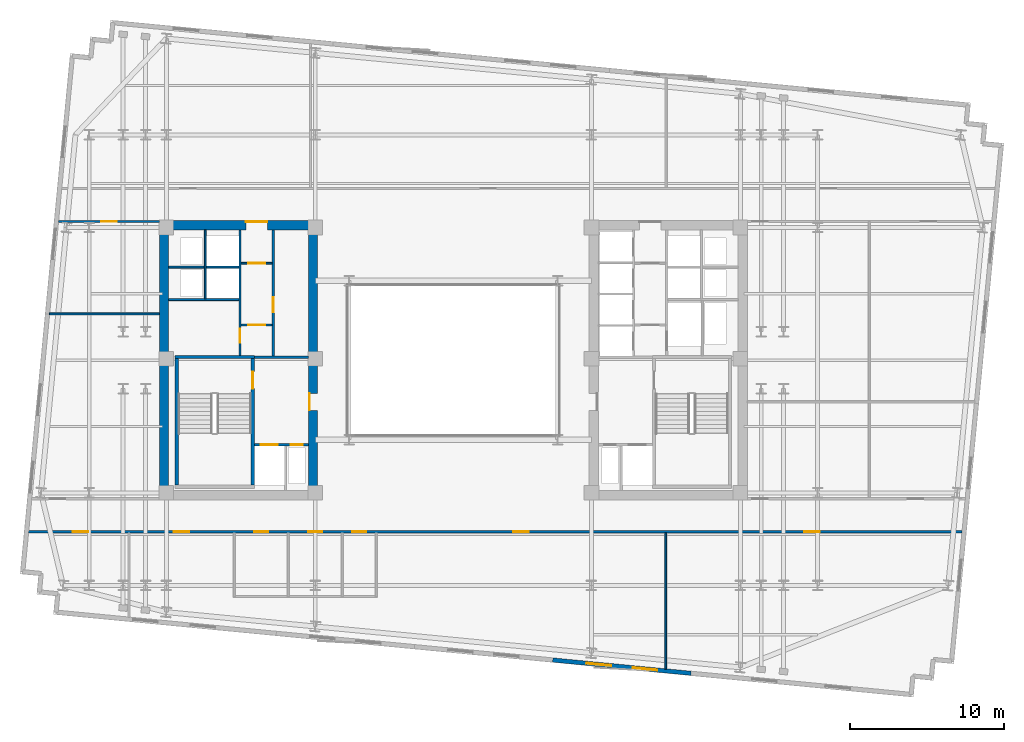
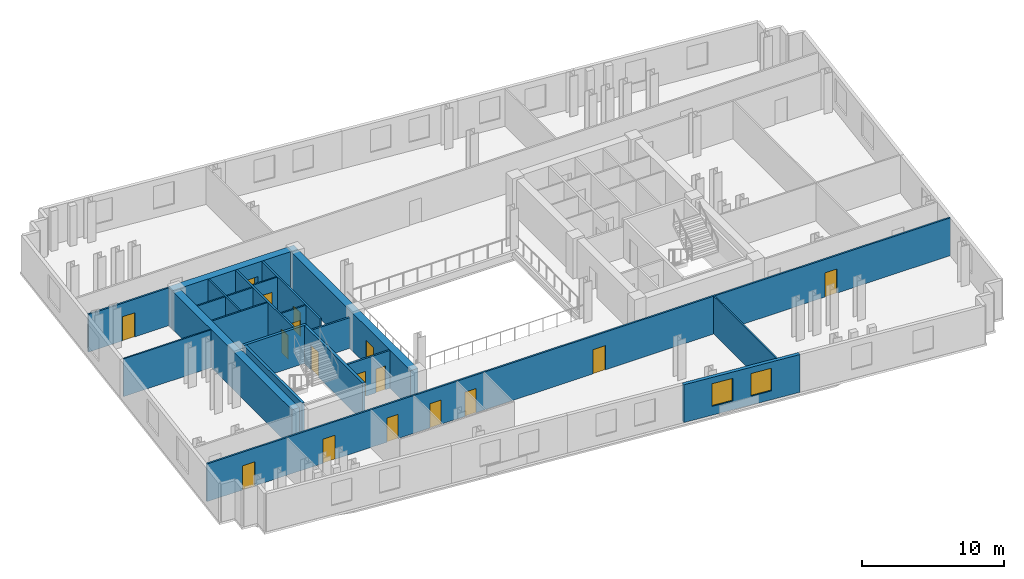
# One storey, part 4 of 9: 21 walls, 17 doors, 2 windows, 19 openings.
"""IFC4 building model written with IfcOpenShell, lengths in metres."""

from ifc_helpers import new_model, si_unit, direction, frame, frame_2d, origin, place, context, subcontext, project, spatial, rectangle, extrude, material, layer, layer_set, type_object, element, fill, save


model = new_model("IFC4")

# Units and contexts
model_context = context("Model", 3, precision=1e-05, world=origin(), true_north=direction((0.0, 1.0)))
body_context = subcontext(model_context, "Body", "Model", "MODEL_VIEW")
ifc_project = project(units=[si_unit("LENGTHUNIT", "METRE"), si_unit("AREAUNIT", "SQUARE_METRE"), si_unit("VOLUMEUNIT", "CUBIC_METRE"), si_unit("PLANEANGLEUNIT", "RADIAN"), si_unit("MASSUNIT", "GRAM", prefix="KILO")], contexts=[model_context])

# Site, building, storey
site_placement = place(None, origin())
site = spatial("IfcSite", under=ifc_project, at=site_placement, CompositionType="ELEMENT")
building_placement = place(site_placement, origin())
building = spatial("IfcBuilding", under=site, at=building_placement, Name="Velakula Bourse", CompositionType="ELEMENT")
storey_placement = place(building_placement, frame((0.0, 0.0, 163.85009765625)))
storey = spatial("IfcBuildingStorey", under=building, at=storey_placement, Name="L44", CompositionType="ELEMENT", Elevation=163.85009765625)

# Wall, opening, door
ifc_material_1 = material(Name="Concrete M50 (fck 50 MPa)", Category="concrete")
ifc_layer_1 = layer(ifc_material_1, 0.2099609375, Name="Concrete M50 (fck 50 MPa)", Category="concrete")
ifc_layer_set_1 = layer_set([ifc_layer_1], Name="Concrete M50 (fck 50 MPa)")
wall_type_1 = type_object("IfcWallType", Name="WL-CORE-210", PredefinedType="SHEAR", material=ifc_layer_set_1)
wall_1_placement = place(storey_placement, frame((-12.9951171875, -8.10009765625, 0.0), z_axis=(0.0, 0.0, 1.0), x_axis=(0.0, 1.0, 0.0)))
wall_1 = element("IfcWall", 1, at=wall_1_placement, inside=storey, type_object=wall_type_1, Name="L44 Core W Stairwell Shear Wall IN", PredefinedType="SHEAR", context=body_context, shape_type="SweptSolid", body=[
    extrude(rectangle(XDim=8.2001953125, YDim=0.2099609375, at=frame_2d((4.10009765625, 0.0))), origin(), (0.0, 0.0, 1.0), 3.27001953125),
])
opening_1_placement = place(wall_1_placement, frame((6.25, 0.0, 0.0)))
opening_1 = element("IfcOpeningElement", 2, at=opening_1_placement, cuts=wall_1, Name="Opening D-STW1", PredefinedType="OPENING", context=body_context, shape_type="SweptSolid", body=[
    extrude(rectangle(XDim=1.10009765625, YDim=2.14990234375, at=frame_2d((0.550048828125, 1.074951171875))), frame((0.0, 0.114990234375, 0.0), z_axis=(0.0, -1.0, 0.0), x_axis=(1.0, 0.0, 0.0)), (0.0, 0.0, 1.0), 0.22998046875),
])
ifc_material_2 = material(Name="Galvanised painted hollow steel fire door", Category="steel")
door_type_1 = type_object("IfcDoorType", Name="DR-FD120-1100x2150", OperationType="NOTDEFINED", PredefinedType="DOOR", material=ifc_material_2)
door_1_placement = place(opening_1_placement, origin())
door_1 = element("IfcDoor", 3, at=door_1_placement, inside=storey, type_object=door_type_1, Name="L44 Stair ST-W1 Fire Door", OperationType="SINGLE_SWING_LEFT", OverallHeight=2.14990234375, OverallWidth=1.10009765625, PredefinedType="DOOR", context=body_context, shape_type="SweptSolid", body=[
    extrude(rectangle(XDim=1.10009765625, YDim=2.14990234375, at=frame_2d((0.550048828125, 1.074951171875))), frame((0.0, 0.02490234375, 0.0), z_axis=(0.0, -1.0, 0.0), x_axis=(1.0, 0.0, 0.0)), (0.0, 0.0, 1.0), 0.050048828125),
])
fill(opening_1, door_1)

# Walls
wall_2_placement = place(storey_placement, frame((-17.925048828125, -8.10009765625, 0.0), z_axis=(0.0, 0.0, 1.0), x_axis=(0.0, 1.0, 0.0)))
element("IfcWall", 4, at=wall_2_placement, inside=storey, type_object=wall_type_1, Name="L44 Core W Stairwell Shear Wall OUT", PredefinedType="SHEAR", context=body_context, shape_type="SweptSolid", body=[
    extrude(rectangle(XDim=8.2001953125, YDim=0.2099609375, at=frame_2d((4.10009765625, 0.0))), origin(), (0.0, 0.0, 1.0), 3.27001953125),
])
wall_3_placement = place(storey_placement, frame((-12.889892578125, 0.205078125, 0.0), z_axis=(0.0, 0.0, 1.0), x_axis=(-1.0, 0.0, 0.0)))
element("IfcWall", 5, at=wall_3_placement, inside=storey, type_object=wall_type_1, Name="L44 Core W Stairwell Shear Wall N", PredefinedType="SHEAR", context=body_context, shape_type="SweptSolid", body=[
    extrude(rectangle(XDim=5.14013671875, YDim=0.2099609375, at=frame_2d((2.570068359375, 0.0))), origin(), (0.0, 0.0, 1.0), 3.27001953125),
])

# Wall, opening, door
ifc_material_3 = material(Name="Concrete M70 (fck 70 MPa)", Category="concrete")
ifc_layer_2 = layer(ifc_material_3, 0.60009765625, Name="Concrete M70 (fck 70 MPa)", Category="concrete")
ifc_layer_set_2 = layer_set([ifc_layer_2], Name="Concrete M70 (fck 70 MPa)")
wall_type_2 = type_object("IfcWallType", Name="WL-CORE-600", PredefinedType="SHEAR", material=ifc_layer_set_2)
wall_4_placement = place(storey_placement, frame((-19.050048828125, 8.75, 0.0), z_axis=(0.0, 0.0, 1.0), x_axis=(1.0, 0.0, 0.0)))
wall_4 = element("IfcWall", 6, at=wall_4_placement, inside=storey, type_object=wall_type_2, Name="L44 Core W Shear Wall N", PredefinedType="SHEAR", context=body_context, shape_type="SweptSolid", body=[
    extrude(rectangle(XDim=10.25, YDim=0.60009765625, at=frame_2d((5.125, 0.0))), origin(), (0.0, 0.0, 1.0), 3.27001953125),
])
opening_2_placement = place(wall_4_placement, frame((5.60009765625, 0.0, 0.0)))
opening_2 = element("IfcOpeningElement", 7, at=opening_2_placement, cuts=wall_4, Name="Opening D-LLW", PredefinedType="OPENING", context=body_context, shape_type="SweptSolid", body=[
    extrude(rectangle(XDim=1.39990234375, YDim=2.050048828125, at=frame_2d((0.699951171875, 1.02490234375))), frame((0.0, 0.31005859375, 0.0), z_axis=(0.0, -1.0, 0.0), x_axis=(1.0, 0.0, 0.0)), (0.0, 0.0, 1.0), 0.6201171875),
])
ifc_material_4 = material(Name="Fire-rated hardwood flush architectural door", Category="wood")
door_type_2 = type_object("IfcDoorType", Name="DR-DBL-FD60-1400", OperationType="DOUBLE_DOOR_SINGLE_SWING", PredefinedType="DOOR", material=ifc_material_4)
door_2_placement = place(opening_2_placement, origin())
door_2 = element("IfcDoor", 8, at=door_2_placement, inside=storey, type_object=door_type_2, Name="L44 Core W Lift Lobby Corridor Double Door", OperationType="DOUBLE_DOOR_SINGLE_SWING", OverallHeight=2.050048828125, OverallWidth=1.39990234375, PredefinedType="DOOR", context=body_context, shape_type="SweptSolid", body=[
    extrude(rectangle(XDim=1.39990234375, YDim=2.050048828125, at=frame_2d((0.699951171875, 1.02490234375))), frame((0.0, 0.2451171875, 0.0), z_axis=(0.0, -1.0, 0.0), x_axis=(1.0, 0.0, 0.0)), (0.0, 0.0, 1.0), 0.050048828125),
])
fill(opening_2, door_2)

# Wall
wall_5_placement = place(storey_placement, frame((-18.75, -8.449951171875, 0.0), z_axis=(0.0, 0.0, 1.0), x_axis=(0.0, 1.0, 0.0)))
element("IfcWall", 9, at=wall_5_placement, inside=storey, type_object=wall_type_2, Name="L44 Core W Shear Wall W", PredefinedType="SHEAR", context=body_context, shape_type="SweptSolid", body=[
    extrude(rectangle(XDim=16.89990234375, YDim=0.60009765625, at=frame_2d((8.449951171875, 0.0))), origin(), (0.0, 0.0, 1.0), 3.27001953125),
])

# Wall, opening, door
wall_6_placement = place(storey_placement, frame((-9.10009765625, -8.449951171875, 0.0), z_axis=(0.0, 0.0, 1.0), x_axis=(0.0, 1.0, 0.0)))
wall_6 = element("IfcWall", 10, at=wall_6_placement, inside=storey, type_object=wall_type_2, Name="L44 Core W Shear Wall E", PredefinedType="SHEAR", context=body_context, shape_type="SweptSolid", body=[
    extrude(rectangle(XDim=16.89990234375, YDim=0.60009765625, at=frame_2d((8.449951171875, 0.0))), origin(), (0.0, 0.0, 1.0), 3.27001953125),
])
opening_3_placement = place(wall_6_placement, frame((5.199951171875, 0.0, 0.0)))
opening_3 = element("IfcOpeningElement", 11, at=opening_3_placement, cuts=wall_6, Name="Opening D-FLW", PredefinedType="OPENING", context=body_context, shape_type="SweptSolid", body=[
    extrude(rectangle(XDim=1.10009765625, YDim=2.080078125, at=frame_2d((0.550048828125, 1.0400390625))), frame((0.0, 0.31005859375, 0.0), z_axis=(0.0, -1.0, 0.0), x_axis=(1.0, 0.0, 0.0)), (0.0, 0.0, 1.0), 0.6201171875),
])
door_type_3 = type_object("IfcDoorType", Name="DR-FD120-1100", OperationType="NOTDEFINED", PredefinedType="DOOR", material=ifc_material_2)
door_3_placement = place(opening_3_placement, origin())
door_3 = element("IfcDoor", 12, at=door_3_placement, inside=storey, type_object=door_type_3, Name="L44 Firefighting Lobby W Corridor Fire Door", OperationType="SINGLE_SWING_LEFT", OverallHeight=2.080078125, OverallWidth=1.10009765625, PredefinedType="DOOR", context=body_context, shape_type="SweptSolid", body=[
    extrude(rectangle(XDim=1.10009765625, YDim=2.080078125, at=frame_2d((0.550048828125, 1.0400390625))), frame((0.0, 0.2548828125, 0.0), z_axis=(0.0, -1.0, 0.0), x_axis=(1.0, 0.0, 0.0)), (0.0, 0.0, 1.0), 0.050048828125),
])
fill(opening_3, door_3)

# Wall, openings, windows
ifc_material_5 = material(Name="Red kilned clay facing brick masonry", Category="masonry")
ifc_layer_3 = layer(ifc_material_5, 0.280029296875, Name="Red kilned clay facing brick masonry", Category="masonry")
ifc_layer_set_3 = layer_set([ifc_layer_3], Name="Red kilned clay facing brick masonry")
wall_type_3 = type_object("IfcWallType", Name="WL-EXT-BRK-280", PredefinedType="STANDARD", material=ifc_layer_set_3)
wall_7_placement = place(storey_placement, frame((15.398681640625, -20.295654296875, 0.0), z_axis=(0.0, 0.0, 1.0), x_axis=(-0.995394455533, 0.09586385082, 0.0)))
wall_7 = element("IfcWall", 13, at=wall_7_placement, inside=storey, type_object=wall_type_3, Name="L44 S Brick Spandrel Wall B4", PredefinedType="STANDARD", context=body_context, shape_type="SweptSolid", body=[
    extrude(rectangle(XDim=9.000244140625, YDim=0.280029296875, at=frame_2d((4.5, 0.0))), origin(), (0.0, 0.0, 1.0), 3.25),
])
opening_4_placement = place(wall_7_placement, frame((2.199951171875, 0.0, 0.760009765625)))
opening_4 = element("IfcOpeningElement", 14, at=opening_4_placement, cuts=wall_7, Name="Opening W-02", PredefinedType="OPENING", context=body_context, shape_type="SweptSolid", body=[
    extrude(rectangle(XDim=1.60009765625, YDim=1.949951171875, at=frame_2d((0.800048828125, 0.97509765625))), frame((0.0, 0.14990234375, 0.0), z_axis=(0.0, -1.0, 0.0), x_axis=(1.0, 0.0, 0.0)), (0.0, 0.0, 1.0), 0.300048828125),
])
opening_5_placement = place(wall_7_placement, frame((5.199951171875, 0.0, 0.760009765625)))
opening_5 = element("IfcOpeningElement", 15, at=opening_5_placement, cuts=wall_7, Name="Opening W-02", PredefinedType="OPENING", context=body_context, shape_type="SweptSolid", body=[
    extrude(rectangle(XDim=1.60009765625, YDim=1.949951171875, at=frame_2d((0.800048828125, 0.97509765625))), frame((0.0, 0.14990234375, 0.0), z_axis=(0.0, -1.0, 0.0), x_axis=(1.0, 0.0, 0.0)), (0.0, 0.0, 1.0), 0.300048828125),
])
ifc_material_6 = material(Name="Double-glazed solar-control Low-E glass", Category="glass")
window_type = type_object("IfcWindowType", Name="WIN-TWR-1600x2100", PartitioningType="SINGLE_PANEL", PredefinedType="WINDOW", material=ifc_material_6)
window_1_placement = place(opening_4_placement, origin())
window_1 = element("IfcWindow", 16, at=window_1_placement, inside=storey, type_object=window_type, Name="L44 Deep-Set Recessed Window 1", OverallHeight=1.949951171875, OverallWidth=1.60009765625, PartitioningType="SINGLE_PANEL", PredefinedType="WINDOW", context=body_context, shape_type="SweptSolid", body=[
    extrude(rectangle(XDim=1.60009765625, YDim=1.949951171875, at=frame_2d((0.800048828125, 0.97509765625))), frame((0.0, 0.030029296875, 0.0), z_axis=(0.0, -1.0, 0.0), x_axis=(1.0, 0.0, 0.0)), (0.0, 0.0, 1.0), 0.06005859375),
])
fill(opening_4, window_1)
window_2_placement = place(opening_5_placement, origin())
window_2 = element("IfcWindow", 17, at=window_2_placement, inside=storey, type_object=window_type, Name="L44 Deep-Set Recessed Window 2", OverallHeight=1.949951171875, OverallWidth=1.60009765625, PartitioningType="SINGLE_PANEL", PredefinedType="WINDOW", context=body_context, shape_type="SweptSolid", body=[
    extrude(rectangle(XDim=1.60009765625, YDim=1.949951171875, at=frame_2d((0.800048828125, 0.97509765625))), frame((0.0, 0.030029296875, 0.0), z_axis=(0.0, -1.0, 0.0), x_axis=(1.0, 0.0, 0.0)), (0.0, 0.0, 1.0), 0.06005859375),
])
fill(opening_5, window_2)

# Wall, opening, door
ifc_material_7 = material(Name="Fire-rated double-layer gypsum drywall partition", Category="gypsum")
ifc_layer_4 = layer(ifc_material_7, 0.1201171875, Name="Fire-rated double-layer gypsum drywall partition", Category="gypsum")
ifc_layer_set_4 = layer_set([ifc_layer_4], Name="Fire-rated double-layer gypsum drywall partition")
wall_type_4 = type_object("IfcWallType", Name="WL-PART-120", PredefinedType="STANDARD", material=ifc_layer_set_4)
wall_8_placement = place(storey_placement, frame((-13.75, 2.280029296875, 0.0), z_axis=(0.0, 0.0, 1.0), x_axis=(1.0, 0.0, 0.0)))
wall_8 = element("IfcWall", 18, at=wall_8_placement, inside=storey, type_object=wall_type_4, Name="L44 Interior Partition WL-CRW-L44-LL-K3A", PredefinedType="STANDARD", context=body_context, shape_type="SweptSolid", body=[
    extrude(rectangle(XDim=2.0, YDim=0.1201171875, at=frame_2d((1.0, 0.0))), origin(), (0.0, 0.0, 1.0), 3.25),
])
opening_6_placement = place(wall_8_placement, frame((0.449951171875, 0.0, 0.0)))
opening_6 = element("IfcOpeningElement", 19, at=opening_6_placement, cuts=wall_8, Name="Opening D-LK3", PredefinedType="OPENING", context=body_context, shape_type="SweptSolid", body=[
    extrude(rectangle(XDim=1.10009765625, YDim=2.10009765625, at=frame_2d((0.550048828125, 1.050048828125))), frame((0.0, 0.070068359375, 0.0), z_axis=(0.0, -1.0, 0.0), x_axis=(1.0, 0.0, 0.0)), (0.0, 0.0, 1.0), 0.14013671875),
])
door_type_4 = type_object("IfcDoorType", Name="DR-FD60-1100x2100", OperationType="NOTDEFINED", PredefinedType="DOOR", material=ifc_material_4)
door_4_placement = place(opening_6_placement, origin())
door_4 = element("IfcDoor", 20, at=door_4_placement, inside=storey, type_object=door_type_4, Name="L44 Core W Lift Lobby Vestibule Door A", OperationType="SINGLE_SWING_RIGHT", OverallHeight=2.10009765625, OverallWidth=1.10009765625, PredefinedType="DOOR", context=body_context, shape_type="SweptSolid", body=[
    extrude(rectangle(XDim=1.10009765625, YDim=2.10009765625, at=frame_2d((0.550048828125, 1.050048828125))), frame((0.0, 0.02490234375, 0.0), z_axis=(0.0, -1.0, 0.0), x_axis=(1.0, 0.0, 0.0)), (0.0, 0.0, 1.0), 0.050048828125),
])
fill(opening_6, door_4)

wall_9_placement = place(storey_placement, frame((-13.75, 6.280029296875, 0.0), z_axis=(0.0, 0.0, 1.0), x_axis=(1.0, 0.0, 0.0)))
wall_9 = element("IfcWall", 21, at=wall_9_placement, inside=storey, type_object=wall_type_4, Name="L44 Interior Partition WL-CRW-L44-LL-K3B", PredefinedType="STANDARD", context=body_context, shape_type="SweptSolid", body=[
    extrude(rectangle(XDim=2.0, YDim=0.1201171875, at=frame_2d((1.0, 0.0))), origin(), (0.0, 0.0, 1.0), 3.25),
])
opening_7_placement = place(wall_9_placement, frame((0.449951171875, 0.0, 0.0)))
opening_7 = element("IfcOpeningElement", 22, at=opening_7_placement, cuts=wall_9, Name="Opening D-LK3", PredefinedType="OPENING", context=body_context, shape_type="SweptSolid", body=[
    extrude(rectangle(XDim=1.10009765625, YDim=2.10009765625, at=frame_2d((0.550048828125, 1.050048828125))), frame((0.0, 0.070068359375, 0.0), z_axis=(0.0, -1.0, 0.0), x_axis=(1.0, 0.0, 0.0)), (0.0, 0.0, 1.0), 0.14013671875),
])
door_5_placement = place(opening_7_placement, origin())
door_5 = element("IfcDoor", 23, at=door_5_placement, inside=storey, type_object=door_type_4, Name="L44 Core W Lift Lobby Vestibule Door B", OperationType="SINGLE_SWING_RIGHT", OverallHeight=2.10009765625, OverallWidth=1.10009765625, PredefinedType="DOOR", context=body_context, shape_type="SweptSolid", body=[
    extrude(rectangle(XDim=1.10009765625, YDim=2.10009765625, at=frame_2d((0.550048828125, 1.050048828125))), frame((0.0, 0.02490234375, 0.0), z_axis=(0.0, -1.0, 0.0), x_axis=(1.0, 0.0, 0.0)), (0.0, 0.0, 1.0), 0.050048828125),
])
fill(opening_7, door_5)

# Walls
wall_10_placement = place(storey_placement, frame((-18.449951171875, 3.919921875, 0.0), z_axis=(0.0, 0.0, 1.0), x_axis=(1.0, 0.0, 0.0)))
element("IfcWall", 24, at=wall_10_placement, inside=storey, type_object=wall_type_4, Name="L44 Interior Partition WL-CRW-L44-HI-S", PredefinedType="STANDARD", context=body_context, shape_type="SweptSolid", body=[
    extrude(rectangle(XDim=4.550048828125, YDim=0.1201171875, at=frame_2d((2.27490234375, 0.0))), origin(), (0.0, 0.0, 1.0), 3.25),
])
wall_11_placement = place(storey_placement, frame((-18.449951171875, 6.030029296875, 0.0), z_axis=(0.0, 0.0, 1.0), x_axis=(1.0, 0.0, 0.0)))
element("IfcWall", 25, at=wall_11_placement, inside=storey, type_object=wall_type_4, Name="L44 Interior Partition WL-CRW-L44-RIS-MID", PredefinedType="STANDARD", context=body_context, shape_type="SweptSolid", body=[
    extrude(rectangle(XDim=2.300048828125, YDim=0.1201171875, at=frame_2d((1.14990234375, 0.0))), origin(), (0.0, 0.0, 1.0), 3.25),
])
wall_12_placement = place(storey_placement, frame((-16.074951171875, 3.97998046875, 0.0), z_axis=(0.0, 0.0, 1.0), x_axis=(0.0, 1.0, 0.0)))
element("IfcWall", 26, at=wall_12_placement, inside=storey, type_object=wall_type_4, Name="L44 Interior Partition WL-CRW-L44-RIS-F", PredefinedType="STANDARD", context=body_context, shape_type="SweptSolid", body=[
    extrude(rectangle(XDim=4.469970703125, YDim=0.1201171875, at=frame_2d((2.23486328125, 0.0))), origin(), (0.0, 0.0, 1.0), 3.25),
])
wall_13_placement = place(storey_placement, frame((-16.0, 6.030029296875, 0.0), z_axis=(0.0, 0.0, 1.0), x_axis=(1.0, 0.0, 0.0)))
element("IfcWall", 27, at=wall_13_placement, inside=storey, type_object=wall_type_4, Name="L44 Interior Partition WL-CRW-L44-HI-DIV", PredefinedType="STANDARD", context=body_context, shape_type="SweptSolid", body=[
    extrude(rectangle(XDim=2.10009765625, YDim=0.1201171875, at=frame_2d((1.050048828125, 0.0))), origin(), (0.0, 0.0, 1.0), 3.25),
])
wall_14_placement = place(storey_placement, frame((13.76611328125, -20.017822265625, 0.0), z_axis=(0.0, 0.0, 1.0), x_axis=(0.0, 1.0, 0.0)))
element("IfcWall", 28, at=wall_14_placement, inside=storey, type_object=wall_type_4, Name="L44 Interior Partition WL-INT-L44-SR-D6", PredefinedType="STANDARD", context=body_context, shape_type="SweptSolid", body=[
    extrude(rectangle(XDim=8.827880859375, YDim=0.1201171875, at=frame_2d((4.4140625, 0.0))), origin(), (0.0, 0.0, 1.0), 3.25),
])
wall_15_placement = place(storey_placement, frame((-26.18017578125, 3.0, 0.0), z_axis=(0.0, 0.0, 1.0), x_axis=(1.0, 0.0, 0.0)))
element("IfcWall", 29, at=wall_15_placement, inside=storey, type_object=wall_type_4, Name="L44 Interior Partition WL-INT-L44-W-H", PredefinedType="STANDARD", context=body_context, shape_type="SweptSolid", body=[
    extrude(rectangle(XDim=7.130126953125, YDim=0.1201171875, at=frame_2d((3.56494140625, 0.0))), origin(), (0.0, 0.0, 1.0), 3.25),
])

# Wall, openings, doors
ifc_layer_5 = layer(ifc_material_7, 0.139892578125, Name="Fire-rated double-layer gypsum drywall partition", Category="gypsum")
ifc_layer_set_5 = layer_set([ifc_layer_5], Name="Fire-rated double-layer gypsum drywall partition")
wall_type_5 = type_object("IfcWallType", Name="WL-PART-140", PredefinedType="STANDARD", material=ifc_layer_set_5)
wall_16_placement = place(storey_placement, frame((-27.539794921875, -11.1201171875, 0.0), z_axis=(0.0, 0.0, 1.0), x_axis=(1.0, 0.0, 0.0)))
wall_16 = element("IfcWall", 30, at=wall_16_placement, inside=storey, type_object=wall_type_5, Name="L44 Interior Partition WL-INT-L44-S-CORR", PredefinedType="STANDARD", context=body_context, shape_type="SweptSolid", body=[
    extrude(rectangle(XDim=60.518798828125, YDim=0.139892578125, at=frame_2d((30.25927734375, 0.0))), origin(), (0.0, 0.0, 1.0), 3.25),
])
opening_8_placement = place(wall_16_placement, frame((14.629638671875, 0.0, 0.0)))
opening_8 = element("IfcOpeningElement", 31, at=opening_8_placement, cuts=wall_16, Name="Opening D-WT1", PredefinedType="OPENING", context=body_context, shape_type="SweptSolid", body=[
    extrude(rectangle(XDim=0.919921875, YDim=2.080078125, at=frame_2d((0.4599609375, 1.0400390625))), frame((0.0, 0.079833984375, 0.0), z_axis=(0.0, -1.0, 0.0), x_axis=(1.0, 0.0, 0.0)), (0.0, 0.0, 1.0), 0.159912109375),
])
opening_9_placement = place(wall_16_placement, frame((18.129638671875, 0.0, 0.0)))
opening_9 = element("IfcOpeningElement", 32, at=opening_9_placement, cuts=wall_16, Name="Opening D-WT1", PredefinedType="OPENING", context=body_context, shape_type="SweptSolid", body=[
    extrude(rectangle(XDim=0.919921875, YDim=2.080078125, at=frame_2d((0.4599609375, 1.0400390625))), frame((0.0, 0.079833984375, 0.0), z_axis=(0.0, -1.0, 0.0), x_axis=(1.0, 0.0, 0.0)), (0.0, 0.0, 1.0), 0.159912109375),
])
opening_10_placement = place(wall_16_placement, frame((20.979736328125, 0.0, 0.0)))
opening_10 = element("IfcOpeningElement", 33, at=opening_10_placement, cuts=wall_16, Name="Opening D-WC1", PredefinedType="OPENING", context=body_context, shape_type="SweptSolid", body=[
    extrude(rectangle(XDim=0.919921875, YDim=2.080078125, at=frame_2d((0.4599609375, 1.0400390625))), frame((0.0, 0.079833984375, 0.0), z_axis=(0.0, -1.0, 0.0), x_axis=(1.0, 0.0, 0.0)), (0.0, 0.0, 1.0), 0.159912109375),
])
opening_11_placement = place(wall_16_placement, frame((2.8837890625, 0.0, 0.0)))
opening_11 = element("IfcOpeningElement", 34, at=opening_11_placement, cuts=wall_16, Name="Opening D-OF1", PredefinedType="OPENING", context=body_context, shape_type="SweptSolid", body=[
    extrude(rectangle(XDim=1.0, YDim=2.080078125, at=frame_2d((0.5, 1.0400390625))), frame((0.0, 0.079833984375, 0.0), z_axis=(0.0, -1.0, 0.0), x_axis=(1.0, 0.0, 0.0)), (0.0, 0.0, 1.0), 0.159912109375),
])
opening_12_placement = place(wall_16_placement, frame((9.427734375, 0.0, 0.0)))
opening_12 = element("IfcOpeningElement", 35, at=opening_12_placement, cuts=wall_16, Name="Opening D-OF1", PredefinedType="OPENING", context=body_context, shape_type="SweptSolid", body=[
    extrude(rectangle(XDim=1.0, YDim=2.080078125, at=frame_2d((0.5, 1.0400390625))), frame((0.0, 0.079833984375, 0.0), z_axis=(0.0, -1.0, 0.0), x_axis=(1.0, 0.0, 0.0)), (0.0, 0.0, 1.0), 0.159912109375),
])
opening_13_placement = place(wall_16_placement, frame((31.422607421875, 0.0, 0.0)))
opening_13 = element("IfcOpeningElement", 36, at=opening_13_placement, cuts=wall_16, Name="Opening D-OF1", PredefinedType="OPENING", context=body_context, shape_type="SweptSolid", body=[
    extrude(rectangle(XDim=1.0, YDim=2.080078125, at=frame_2d((0.5, 1.0400390625))), frame((0.0, 0.079833984375, 0.0), z_axis=(0.0, -1.0, 0.0), x_axis=(1.0, 0.0, 0.0)), (0.0, 0.0, 1.0), 0.159912109375),
])
opening_14_placement = place(wall_16_placement, frame((50.2861328125, 0.0, 0.0)))
opening_14 = element("IfcOpeningElement", 37, at=opening_14_placement, cuts=wall_16, Name="Opening D-OF1", PredefinedType="OPENING", context=body_context, shape_type="SweptSolid", body=[
    extrude(rectangle(XDim=1.0, YDim=2.080078125, at=frame_2d((0.5, 1.0400390625))), frame((0.0, 0.079833984375, 0.0), z_axis=(0.0, -1.0, 0.0), x_axis=(1.0, 0.0, 0.0)), (0.0, 0.0, 1.0), 0.159912109375),
])
door_type_5 = type_object("IfcDoorType", Name="DR-OFF-1000", OperationType="NOTDEFINED", PredefinedType="DOOR", material=ifc_material_4)
door_6_placement = place(opening_11_placement, origin())
door_6 = element("IfcDoor", 38, at=door_6_placement, inside=storey, type_object=door_type_5, Name="L44 Traders Bistro Restaurant Door", OperationType="SINGLE_SWING_LEFT", OverallHeight=2.080078125, OverallWidth=1.0, PredefinedType="DOOR", context=body_context, shape_type="SweptSolid", body=[
    extrude(rectangle(XDim=1.0, YDim=2.080078125, at=frame_2d((0.5, 1.0400390625))), frame((0.0, 0.02490234375, 0.0), z_axis=(0.0, -1.0, 0.0), x_axis=(1.0, 0.0, 0.0)), (0.0, 0.0, 1.0), 0.050048828125),
])
fill(opening_11, door_6)
door_7_placement = place(opening_12_placement, origin())
door_7 = element("IfcDoor", 39, at=door_7_placement, inside=storey, type_object=door_type_5, Name="L44 Asset Allocation Office Door", OperationType="SINGLE_SWING_RIGHT", OverallHeight=2.080078125, OverallWidth=1.0, PredefinedType="DOOR", context=body_context, shape_type="SweptSolid", body=[
    extrude(rectangle(XDim=1.0, YDim=2.080078125, at=frame_2d((0.5, 1.0400390625))), frame((0.0, 0.02490234375, 0.0), z_axis=(0.0, -1.0, 0.0), x_axis=(1.0, 0.0, 0.0)), (0.0, 0.0, 1.0), 0.050048828125),
])
fill(opening_12, door_7)
door_8_placement = place(opening_13_placement, origin())
door_8 = element("IfcDoor", 40, at=door_8_placement, inside=storey, type_object=door_type_5, Name="L44 Arbitration Conference Room Door", OperationType="SINGLE_SWING_LEFT", OverallHeight=2.080078125, OverallWidth=1.0, PredefinedType="DOOR", context=body_context, shape_type="SweptSolid", body=[
    extrude(rectangle(XDim=1.0, YDim=2.080078125, at=frame_2d((0.5, 1.0400390625))), frame((0.0, 0.02490234375, 0.0), z_axis=(0.0, -1.0, 0.0), x_axis=(1.0, 0.0, 0.0)), (0.0, 0.0, 1.0), 0.050048828125),
])
fill(opening_13, door_8)
door_9_placement = place(opening_14_placement, origin())
door_9 = element("IfcDoor", 41, at=door_9_placement, inside=storey, type_object=door_type_5, Name="L44 Tea Room Kitchenette Door", OperationType="SINGLE_SWING_RIGHT", OverallHeight=2.080078125, OverallWidth=1.0, PredefinedType="DOOR", context=body_context, shape_type="SweptSolid", body=[
    extrude(rectangle(XDim=1.0, YDim=2.080078125, at=frame_2d((0.5, 1.0400390625))), frame((0.0, 0.02490234375, 0.0), z_axis=(0.0, -1.0, 0.0), x_axis=(1.0, 0.0, 0.0)), (0.0, 0.0, 1.0), 0.050048828125),
])
fill(opening_14, door_9)
door_type_6 = type_object("IfcDoorType", Name="DR-WC-950", OperationType="NOTDEFINED", PredefinedType="DOOR", material=ifc_material_4)
door_10_placement = place(opening_8_placement, origin())
door_10 = element("IfcDoor", 42, at=door_10_placement, inside=storey, type_object=door_type_6, Name="L44 Male Staff Toilet Door", OperationType="SINGLE_SWING_RIGHT", OverallHeight=2.080078125, OverallWidth=0.919921875, PredefinedType="DOOR", context=body_context, shape_type="SweptSolid", body=[
    extrude(rectangle(XDim=0.919921875, YDim=2.080078125, at=frame_2d((0.4599609375, 1.0400390625))), frame((0.0, 0.02490234375, 0.0), z_axis=(0.0, -1.0, 0.0), x_axis=(1.0, 0.0, 0.0)), (0.0, 0.0, 1.0), 0.050048828125),
])
fill(opening_8, door_10)
door_11_placement = place(opening_9_placement, origin())
door_11 = element("IfcDoor", 43, at=door_11_placement, inside=storey, type_object=door_type_6, Name="L44 Female Staff Toilet Door", OperationType="SINGLE_SWING_LEFT", OverallHeight=2.080078125, OverallWidth=0.919921875, PredefinedType="DOOR", context=body_context, shape_type="SweptSolid", body=[
    extrude(rectangle(XDim=0.919921875, YDim=2.080078125, at=frame_2d((0.4599609375, 1.0400390625))), frame((0.0, 0.02490234375, 0.0), z_axis=(0.0, -1.0, 0.0), x_axis=(1.0, 0.0, 0.0)), (0.0, 0.0, 1.0), 0.050048828125),
])
fill(opening_9, door_11)
door_12_placement = place(opening_10_placement, origin())
door_12 = element("IfcDoor", 44, at=door_12_placement, inside=storey, type_object=door_type_6, Name="L44 Accessible WC Door", OperationType="SINGLE_SWING_RIGHT", OverallHeight=2.080078125, OverallWidth=0.919921875, PredefinedType="DOOR", context=body_context, shape_type="SweptSolid", body=[
    extrude(rectangle(XDim=0.919921875, YDim=2.080078125, at=frame_2d((0.4599609375, 1.0400390625))), frame((0.0, 0.02490234375, 0.0), z_axis=(0.0, -1.0, 0.0), x_axis=(1.0, 0.0, 0.0)), (0.0, 0.0, 1.0), 0.050048828125),
])
fill(opening_10, door_12)

# Wall, opening, door
wall_17_placement = place(storey_placement, frame((-25.604248046875, 8.97998046875, 0.0), z_axis=(0.0, 0.0, 1.0), x_axis=(1.0, 0.0, 0.0)))
wall_17 = element("IfcWall", 45, at=wall_17_placement, inside=storey, type_object=wall_type_5, Name="L44 Interior Partition WL-INT-L44-W-NC", PredefinedType="STANDARD", context=body_context, shape_type="SweptSolid", body=[
    extrude(rectangle(XDim=6.55419921875, YDim=0.139892578125, at=frame_2d((3.277099609375, 0.0))), origin(), (0.0, 0.0, 1.0), 3.25),
])
opening_15_placement = place(wall_17_placement, frame((2.777099609375, 0.0, 0.0)))
opening_15 = element("IfcOpeningElement", 46, at=opening_15_placement, cuts=wall_17, Name="Opening D-OF1", PredefinedType="OPENING", context=body_context, shape_type="SweptSolid", body=[
    extrude(rectangle(XDim=1.0, YDim=2.080078125, at=frame_2d((0.5, 1.0400390625))), frame((0.0, 0.079833984375, 0.0), z_axis=(0.0, -1.0, 0.0), x_axis=(1.0, 0.0, 0.0)), (0.0, 0.0, 1.0), 0.159912109375),
])
door_13_placement = place(opening_15_placement, origin())
door_13 = element("IfcDoor", 47, at=door_13_placement, inside=storey, type_object=door_type_5, Name="L44 General Counsel Office Door", OperationType="SINGLE_SWING_LEFT", OverallHeight=2.080078125, OverallWidth=1.0, PredefinedType="DOOR", context=body_context, shape_type="SweptSolid", body=[
    extrude(rectangle(XDim=1.0, YDim=2.080078125, at=frame_2d((0.5, 1.0400390625))), frame((0.0, 0.02490234375, 0.0), z_axis=(0.0, -1.0, 0.0), x_axis=(1.0, 0.0, 0.0)), (0.0, 0.0, 1.0), 0.050048828125),
])
fill(opening_15, door_13)

# Wall, openings, doors
ifc_material_8 = material(Name="Autoclaved aerated concrete blockwork masonry", Category="masonry")
ifc_layer_6 = layer(ifc_material_8, 0.14990234375, Name="Autoclaved aerated concrete blockwork masonry", Category="masonry")
ifc_layer_set_6 = layer_set([ifc_layer_6], Name="Autoclaved aerated concrete blockwork masonry")
wall_type_6 = type_object("IfcWallType", Name="WL-SHAFT-150", PredefinedType="STANDARD", material=ifc_layer_set_6)
wall_18_placement = place(storey_placement, frame((-12.89501953125, -5.47509765625, 0.0), z_axis=(0.0, 0.0, 1.0), x_axis=(1.0, 0.0, 0.0)))
wall_18 = element("IfcWall", 48, at=wall_18_placement, inside=storey, type_object=wall_type_6, Name="L44 Interior Partition WL-CRW-L44-FFL-N", PredefinedType="STANDARD", context=body_context, shape_type="SweptSolid", body=[
    extrude(rectangle(XDim=3.4951171875, YDim=0.14990234375, at=frame_2d((1.74755859375, 0.0))), origin(), (0.0, 0.0, 1.0), 3.25),
])
opening_16_placement = place(wall_18_placement, frame((0.419921875, 0.0, 0.0)))
opening_16 = element("IfcOpeningElement", 49, at=opening_16_placement, cuts=wall_18, Name="Opening LD-FFL-1", PredefinedType="OPENING", context=body_context, shape_type="SweptSolid", body=[
    extrude(rectangle(XDim=1.10009765625, YDim=2.14990234375, at=frame_2d((0.550048828125, 1.074951171875))), frame((0.0, 0.0849609375, 0.0), z_axis=(0.0, -1.0, 0.0), x_axis=(1.0, 0.0, 0.0)), (0.0, 0.0, 1.0), 0.169921875),
])
opening_17_placement = place(wall_18_placement, frame((2.3701171875, 0.0, 0.0)))
opening_17 = element("IfcOpeningElement", 50, at=opening_17_placement, cuts=wall_18, Name="Opening D-RS1", PredefinedType="OPENING", context=body_context, shape_type="SweptSolid", body=[
    extrude(rectangle(XDim=0.75, YDim=2.050048828125, at=frame_2d((0.375, 1.02490234375))), frame((0.0, 0.0849609375, 0.0), z_axis=(0.0, -1.0, 0.0), x_axis=(1.0, 0.0, 0.0)), (0.0, 0.0, 1.0), 0.169921875),
])
door_type_7 = type_object("IfcDoorType", Name="DR-RISER-800", OperationType="NOTDEFINED", PredefinedType="DOOR", material=ifc_material_2)
door_14_placement = place(opening_17_placement, origin())
door_14 = element("IfcDoor", 51, at=door_14_placement, inside=storey, type_object=door_type_7, Name="L44 Fire Riser Access Door", OperationType="SINGLE_SWING_LEFT", OverallHeight=2.050048828125, OverallWidth=0.75, PredefinedType="DOOR", context=body_context, shape_type="SweptSolid", body=[
    extrude(rectangle(XDim=0.75, YDim=2.050048828125, at=frame_2d((0.375, 1.02490234375))), frame((0.0, 0.02490234375, 0.0), z_axis=(0.0, -1.0, 0.0), x_axis=(1.0, 0.0, 0.0)), (0.0, 0.0, 1.0), 0.050048828125),
])
fill(opening_17, door_14)
ifc_material_9 = material(Name="Brushed grade 316 stainless steel", Category="steel")
door_type_8 = type_object("IfcDoorType", Name="DR-SLIDE-FFL-1100", OperationType="DOUBLE_DOOR_SLIDING", PredefinedType="DOOR", material=ifc_material_9)
door_15_placement = place(opening_16_placement, origin())
door_15 = element("IfcDoor", 52, at=door_15_placement, inside=storey, type_object=door_type_8, Name="L44 Firefighting Lift FFL-1 Sliding Landing Door", OperationType="DOUBLE_DOOR_SLIDING", OverallHeight=2.14990234375, OverallWidth=1.10009765625, PredefinedType="DOOR", context=body_context, shape_type="SweptSolid", body=[
    extrude(rectangle(XDim=1.10009765625, YDim=2.14990234375, at=frame_2d((0.550048828125, 1.074951171875))), frame((0.0, 0.02490234375, 0.0), z_axis=(0.0, -1.0, 0.0), x_axis=(1.0, 0.0, 0.0)), (0.0, 0.0, 1.0), 0.050048828125),
])
fill(opening_16, door_15)

# Wall
wall_19_placement = place(storey_placement, frame((-12.889892578125, 0.18994140625, 0.0), z_axis=(0.0, 0.0, 1.0), x_axis=(1.0, 0.0, 0.0)))
element("IfcWall", 53, at=wall_19_placement, inside=storey, type_object=wall_type_6, Name="L44 Interior Partition WL-CRW-L44-FF-TOP", PredefinedType="STANDARD", context=body_context, shape_type="SweptSolid", body=[
    extrude(rectangle(XDim=3.489990234375, YDim=0.14990234375, at=frame_2d((1.7451171875, 0.0))), origin(), (0.0, 0.0, 1.0), 2.64501953125),
])

# Wall, opening, door
wall_20_placement = place(storey_placement, frame((-11.675048828125, 0.27001953125, 0.0), z_axis=(0.0, 0.0, 1.0), x_axis=(0.0, 1.0, 0.0)))
wall_20 = element("IfcWall", 54, at=wall_20_placement, inside=storey, type_object=wall_type_6, Name="L44 Interior Partition WL-CRW-L44-BANK-F", PredefinedType="STANDARD", context=body_context, shape_type="SweptSolid", body=[
    extrude(rectangle(XDim=8.179931640625, YDim=0.14990234375, at=frame_2d((4.08984375, 0.0))), origin(), (0.0, 0.0, 1.0), 3.25),
])
opening_18_placement = place(wall_20_placement, frame((2.85009765625, 0.0, 0.0)))
opening_18 = element("IfcOpeningElement", 55, at=opening_18_placement, cuts=wall_20, Name="Opening D-RC4", PredefinedType="OPENING", context=body_context, shape_type="SweptSolid", body=[
    extrude(rectangle(XDim=0.949951171875, YDim=2.050048828125, at=frame_2d((0.47509765625, 1.02490234375))), frame((0.0, 0.0849609375, 0.0), z_axis=(0.0, -1.0, 0.0), x_axis=(1.0, 0.0, 0.0)), (0.0, 0.0, 1.0), 0.169921875),
])
door_type_9 = type_object("IfcDoorType", Name="DR-FD60-950x2050", OperationType="NOTDEFINED", PredefinedType="DOOR", material=ifc_material_4)
door_16_placement = place(opening_18_placement, origin())
door_16 = element("IfcDoor", 56, at=door_16_placement, inside=storey, type_object=door_type_9, Name="L44 Reclaimed Multi-Bay Archive Room Door", OperationType="SINGLE_SWING_RIGHT", OverallHeight=2.050048828125, OverallWidth=0.949951171875, PredefinedType="DOOR", context=body_context, shape_type="SweptSolid", body=[
    extrude(rectangle(XDim=0.949951171875, YDim=2.050048828125, at=frame_2d((0.47509765625, 1.02490234375))), frame((0.0, 0.02490234375, 0.0), z_axis=(0.0, -1.0, 0.0), x_axis=(1.0, 0.0, 0.0)), (0.0, 0.0, 1.0), 0.050048828125),
])
fill(opening_18, door_16)

wall_21_placement = place(storey_placement, frame((-13.824951171875, 0.27001953125, 0.0), z_axis=(0.0, 0.0, 1.0), x_axis=(0.0, 1.0, 0.0)))
wall_21 = element("IfcWall", 57, at=wall_21_placement, inside=storey, type_object=wall_type_6, Name="L44 Interior Partition WL-CRW-L44-OUT-F", PredefinedType="STANDARD", context=body_context, shape_type="SweptSolid", body=[
    extrude(rectangle(XDim=8.179931640625, YDim=0.14990234375, at=frame_2d((4.08984375, 0.0))), origin(), (0.0, 0.0, 1.0), 3.25),
])
opening_19_placement = place(wall_21_placement, frame((0.85009765625, 0.0, 0.0)))
opening_19 = element("IfcOpeningElement", 58, at=opening_19_placement, cuts=wall_21, Name="Opening D-CR3", PredefinedType="OPENING", context=body_context, shape_type="SweptSolid", body=[
    extrude(rectangle(XDim=0.89990234375, YDim=2.050048828125, at=frame_2d((0.449951171875, 1.02490234375))), frame((0.0, 0.0849609375, 0.0), z_axis=(0.0, -1.0, 0.0), x_axis=(1.0, 0.0, 0.0)), (0.0, 0.0, 1.0), 0.169921875),
])
door_type_10 = type_object("IfcDoorType", Name="DR-INT-900", OperationType="NOTDEFINED", PredefinedType="DOOR", material=ifc_material_4)
door_17_placement = place(opening_19_placement, origin())
door_17 = element("IfcDoor", 59, at=door_17_placement, inside=storey, type_object=door_type_10, Name="L44 Core Stationery and Mail Room Door", OperationType="SINGLE_SWING_RIGHT", OverallHeight=2.050048828125, OverallWidth=0.89990234375, PredefinedType="DOOR", context=body_context, shape_type="SweptSolid", body=[
    extrude(rectangle(XDim=0.89990234375, YDim=2.050048828125, at=frame_2d((0.449951171875, 1.02490234375))), frame((0.0, 0.02490234375, 0.0), z_axis=(0.0, -1.0, 0.0), x_axis=(1.0, 0.0, 0.0)), (0.0, 0.0, 1.0), 0.050048828125),
])
fill(opening_19, door_17)

save(model, "model.ifc")
